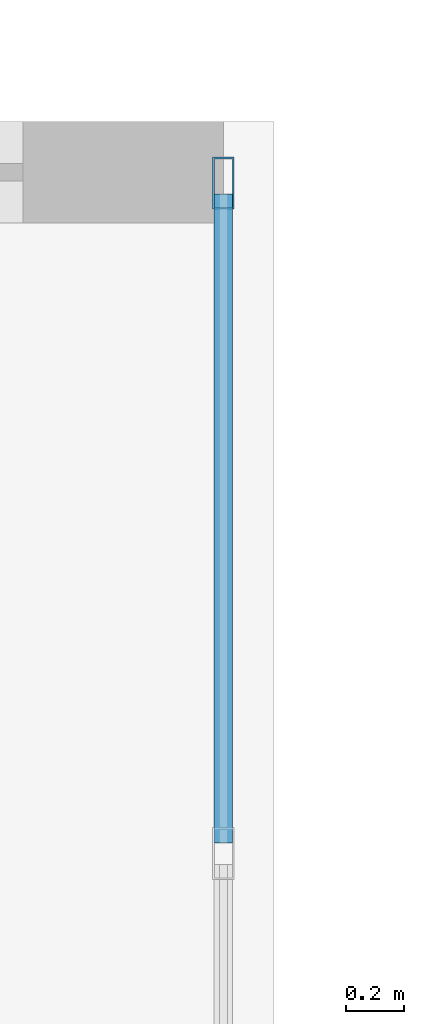
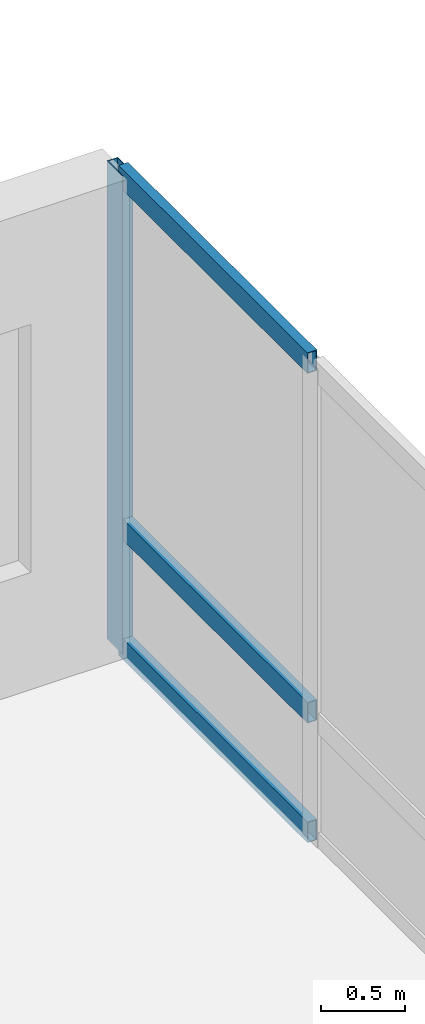
# One storey, part 4 of 16: 4 members, 1 element without a shape of its own.
"""IFC4 building model written with IfcOpenShell, lengths in metres."""

from ifc_helpers import new_model, si_unit, direction, frame, origin, origin_2d, place, context, subcontext, project, spatial, hollow_rectangle, extrude, material, layer, layer_set, material_profile, profile_set, type_object, element, aggregate, save


model = new_model("IFC4")

# Units and contexts
model_context = context("Model", 3, precision=1e-05, world=origin(), true_north=direction((0.0, 1.0)))
body_context = subcontext(model_context, "Body", "Model", "MODEL_VIEW")
ifc_project = project(units=[si_unit("LENGTHUNIT", "METRE"), si_unit("AREAUNIT", "SQUARE_METRE"), si_unit("VOLUMEUNIT", "CUBIC_METRE"), si_unit("PLANEANGLEUNIT", "RADIAN"), si_unit("MASSUNIT", "GRAM", prefix="KILO")], contexts=[model_context])

# Site, building, storey
site_placement = place(None, origin())
site = spatial("IfcSite", under=ifc_project, at=site_placement, CompositionType="ELEMENT")
building_placement = place(site_placement, origin())
building = spatial("IfcBuilding", under=site, at=building_placement, Name="Koriwani Terraces Tower", CompositionType="ELEMENT")
storey_placement = place(building_placement, frame((0.0, 0.0, 274.89990234375)))
storey = spatial("IfcBuildingStorey", under=building, at=storey_placement, Name="L68", CompositionType="ELEMENT", Elevation=274.89990234375)

# Curtain wall, members
ifc_material = material(Name="Anodised Bronze Aluminium", Category="aluminium")
ifc_layer = layer(ifc_material, 0.169921875, Name="Anodised Bronze Aluminium")
ifc_layer_set = layer_set([ifc_layer], Name="Anodised Bronze Aluminium")
curtain_wall_type = type_object("IfcCurtainWallType", Name="CW_RES_ZONE4", PredefinedType="NOTDEFINED", material=ifc_layer_set)
curtain_wall_placement = place(storey_placement, origin())
curtain_wall = element("IfcCurtainWall", 1, at=curtain_wall_placement, inside=storey, type_object=curtain_wall_type, Name="L68 Unitised Curtain Wall (E_TIP) Bay 1", PredefinedType="NOTDEFINED")
ifc_material_profile_1 = material_profile(ifc_material, hollow_rectangle(XDim=0.074951171875, YDim=0.179931640625, WallThickness=0.006103515625, at=origin_2d()), Name="Anodised Bronze Aluminium", Category="LoadBearing")
ifc_profile_set_1 = profile_set([ifc_material_profile_1], Name="Anodised Bronze Aluminium")
member_type_1 = type_object("IfcMemberType", Name="CW_MULLION_180X75", PredefinedType="MULLION", material=ifc_profile_set_1)
member_1_placement = place(storey_placement, frame((75.425048828125, 30.387451171875, 0.0), z_axis=(0.0, 0.0, 1.0), x_axis=(1.0, 0.0, 0.0)))
member_1 = element("IfcMember", 2, at=member_1_placement, type_object=member_type_1, Name="CW-Z4 mullion 1", PredefinedType="MULLION", context=body_context, shape_type="SweptSolid", body=[
    extrude(hollow_rectangle(XDim=0.074951171875, YDim=0.179931640625, WallThickness=0.006103515625, at=origin_2d()), origin(), (0.0, 0.0, 1.0), 3.47021484375),
])
ifc_material_profile_2 = material_profile(ifc_material, hollow_rectangle(XDim=0.06494140625, YDim=0.14990234375, WallThickness=0.0048828125, at=origin_2d()), Name="Anodised Bronze Aluminium", Category="LoadBearing")
ifc_profile_set_2 = profile_set([ifc_material_profile_2], Name="Anodised Bronze Aluminium")
member_type_2 = type_object("IfcMemberType", Name="CW_TRANSOM_150X65", PredefinedType="USERDEFINED", material=ifc_profile_set_2)
member_2_placement = place(storey_placement, frame((75.425048828125, 30.35009765625, 0.03271484375), z_axis=(0.0, -1.0, 0.0), x_axis=(1.0, 0.0, 0.0)))
member_2 = element("IfcMember", 3, at=member_2_placement, type_object=member_type_2, Name="CW-Z4 transom 1.1", ObjectType="TRANSOM", PredefinedType="USERDEFINED", context=body_context, shape_type="SweptSolid", body=[
    extrude(hollow_rectangle(XDim=0.06494140625, YDim=0.14990234375, WallThickness=0.0048828125, at=origin_2d()), origin(), (0.0, 0.0, 1.0), 2.2451171875),
])
member_3_placement = place(storey_placement, frame((75.425048828125, 30.35009765625, 0.900146484375), z_axis=(0.0, -1.0, 0.0), x_axis=(1.0, 0.0, 0.0)))
member_3 = element("IfcMember", 4, at=member_3_placement, type_object=member_type_2, Name="CW-Z4 transom 1.2", ObjectType="TRANSOM", PredefinedType="USERDEFINED", context=body_context, shape_type="SweptSolid", body=[
    extrude(hollow_rectangle(XDim=0.06494140625, YDim=0.14990234375, WallThickness=0.0048828125, at=origin_2d()), origin(), (0.0, 0.0, 1.0), 2.2451171875),
])
member_4_placement = place(storey_placement, frame((75.425048828125, 30.35009765625, 3.4375), z_axis=(0.0, -1.0, 0.0), x_axis=(1.0, 0.0, 0.0)))
member_4 = element("IfcMember", 5, at=member_4_placement, type_object=member_type_2, Name="CW-Z4 transom 1.3", ObjectType="TRANSOM", PredefinedType="USERDEFINED", context=body_context, shape_type="SweptSolid", body=[
    extrude(hollow_rectangle(XDim=0.06494140625, YDim=0.14990234375, WallThickness=0.0048828125, at=origin_2d()), origin(), (0.0, 0.0, 1.0), 2.2451171875),
])
aggregate(curtain_wall, [member_1, member_2, member_3, member_4])

save(model, "model.ifc")
